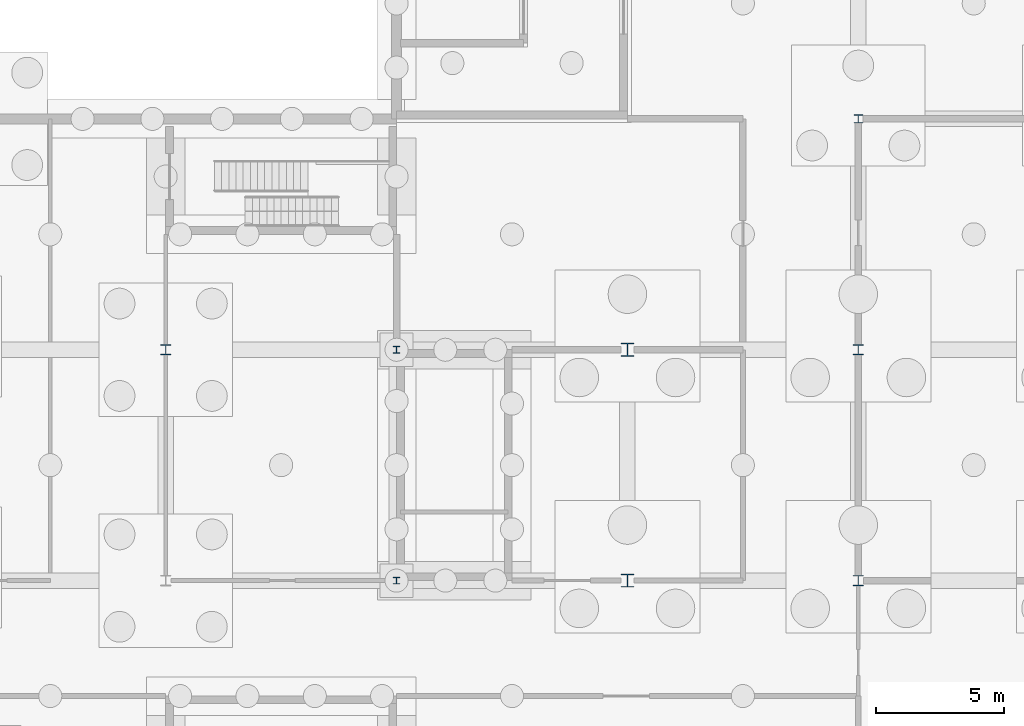
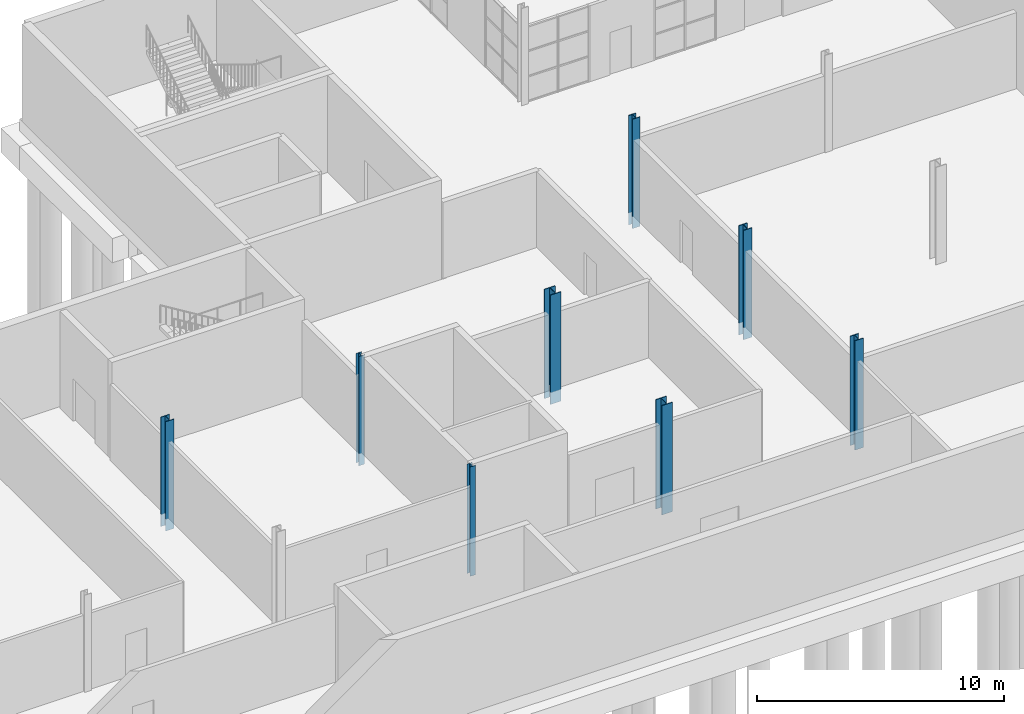
# One storey, part 5 of 17: 8 columns.
"""IFC4 building model written with IfcOpenShell, lengths in metres."""

import ifcopenshell
import ifcopenshell.guid

model = None  # the IFC model being written
_history = None  # IfcOwnerHistory: only IFC2X3 demands one
_inside = {}  # id of a spatial element -> (the spatial element, [elements in it])
_under = {}  # id of a project, library or spatial element -> (it, [spatial elements below it])
_declared = {}  # id of a project -> (the project, [libraries it declares])
_typed = {}  # id of a type object -> (the type object, [elements of that type])
_made_of = {}  # id of a material, layer set ... -> (it, [elements and type objects made of it])


def new_model(schema):
    """Start an empty IFC model of exactly this schema.

    Asked for "IFC4X3", IfcOpenShell would pick the latest addendum, in which some entities
    have other attributes; the version numbers below select the first issue.
    IFC2X3 requires an IfcOwnerHistory on every rooted entity: one is made here for all.
    """
    global model, _history
    if schema == "IFC4X3":
        model = ifcopenshell.file(schema_version=(4, 3, 0, 0))
    else:
        model = ifcopenshell.file(schema=schema)
    _inside.clear()
    _under.clear()
    _declared.clear()
    _typed.clear()
    _made_of.clear()
    _history = None
    if model.schema == "IFC2X3":
        org = make("IfcOrganization", Name="unknown")
        user = make(
            "IfcPersonAndOrganization",
            ThePerson=make("IfcPerson", FamilyName="unknown"),
            TheOrganization=org,
        )
        app = make(
            "IfcApplication",
            ApplicationDeveloper=org,
            Version="unknown",
            ApplicationFullName="unknown",
            ApplicationIdentifier="unknown",
        )
        _history = make(
            "IfcOwnerHistory",
            OwningUser=user,
            OwningApplication=app,
            ChangeAction="ADDED",
            CreationDate=0,
        )
    return model


def make(cls, **values):
    """One entity of the class cls with the attributes given. An attribute that is None is left unset."""
    return model.create_entity(
        cls, **{name: value for name, value in values.items() if value is not None}
    )


def rooted(cls, **values):
    """An entity with a GlobalId (a new one), such as an element, a storey or a relation."""
    return make(cls, GlobalId=ifcopenshell.guid.new(), OwnerHistory=_history, **values)


def si_unit(unit_type, name, prefix=None):
    """IfcSIUnit, for example si_unit("LENGTHUNIT", "METRE", prefix="MILLI")."""
    return make("IfcSIUnit", UnitType=unit_type, Prefix=prefix, Name=name)


def assignment(units):
    """IfcUnitAssignment: the units of a project."""
    return None if units is None else make("IfcUnitAssignment", Units=units)


def point(xyz):
    """IfcCartesianPoint."""
    return None if xyz is None else make("IfcCartesianPoint", Coordinates=xyz)


def direction(xyz):
    """IfcDirection."""
    return None if xyz is None else make("IfcDirection", DirectionRatios=xyz)


def frame(location, z_axis=None, x_axis=None):
    """IfcAxis2Placement3D, a coordinate frame: its origin and axes. An axis left out is left unset."""
    return make(
        "IfcAxis2Placement3D",
        Location=point(location),
        Axis=direction(z_axis),
        RefDirection=direction(x_axis),
    )


def frame_2d(location, x_axis=None):
    """IfcAxis2Placement2D, a coordinate frame in the plane: its origin and x axis."""
    return make(
        "IfcAxis2Placement2D", Location=point(location), RefDirection=direction(x_axis)
    )


def origin():
    """The frame at (0, 0, 0) with its axes left unset."""
    return frame((0.0, 0.0, 0.0))


def origin_2d():
    """The frame at (0, 0) in the plane with its x axis left unset."""
    return frame_2d((0.0, 0.0))


def place(relative_to, where):
    """IfcLocalPlacement: puts the frame where relative to a parent placement (None: the world)."""
    return make(
        "IfcLocalPlacement", PlacementRelTo=relative_to, RelativePlacement=where
    )


def context(
    kind, dimensions, precision=None, world=None, true_north=None, identifier=None
):
    """IfcGeometricRepresentationContext, for example the 3D "Model" context."""
    return make(
        "IfcGeometricRepresentationContext",
        ContextIdentifier=identifier,
        ContextType=kind,
        CoordinateSpaceDimension=dimensions,
        Precision=precision,
        WorldCoordinateSystem=world,
        TrueNorth=true_north,
    )


def subcontext(parent, identifier, kind, view, scale=None):
    """IfcGeometricRepresentationSubContext, for example "Body" below "Model"."""
    return make(
        "IfcGeometricRepresentationSubContext",
        ContextIdentifier=identifier,
        ContextType=kind,
        ParentContext=parent,
        TargetScale=scale,
        TargetView=view,
    )


def project(units=None, contexts=None):
    """IfcProject with its units and contexts."""
    return rooted(
        "IfcProject",
        Name="project",
        RepresentationContexts=contexts,
        UnitsInContext=assignment(units),
    )


def spatial(cls, under=None, at=None, **own):
    """A site, building, storey or space (cls), placed at a placement, below another one or the project."""
    s = rooted(cls, ObjectPlacement=at, **own)
    if under is not None:
        _under.setdefault(under.id(), (under, []))[1].append(s)
    return s


def profile(cls, at=None, kind="AREA", **sizes):
    """A parametric profile (cls). Its sizes go by their IFC names, for example OverallWidth=200.0."""
    return make(cls, ProfileType=kind, Position=at, **sizes)


def i_section(**sizes):
    """IfcIShapeProfileDef."""
    return profile("IfcIShapeProfileDef", **sizes)


def extrude(swept, where, along, depth):
    """IfcExtrudedAreaSolid: the profile swept, set in the frame where, extruded along a direction by depth."""
    return make(
        "IfcExtrudedAreaSolid",
        SweptArea=swept,
        Position=where,
        ExtrudedDirection=direction(along),
        Depth=depth,
    )


def shape(context_of_items, identifier, shape_type, items):
    """IfcShapeRepresentation: the items that make up one representation, for example the "Body"."""
    return make(
        "IfcShapeRepresentation",
        ContextOfItems=context_of_items,
        RepresentationIdentifier=identifier,
        RepresentationType=shape_type,
        Items=items,
    )


def material(Name=None, Category=None):
    """IfcMaterial."""
    return make("IfcMaterial", Name=Name, Category=Category)


def material_profile(
    of_material, cross_section, Name=None, Category=None, Priority=None
):
    """IfcMaterialProfile: a cross section and its material."""
    return make(
        "IfcMaterialProfile",
        Name=Name,
        Material=of_material,
        Profile=cross_section,
        Priority=Priority,
        Category=Category,
    )


def profile_set(profiles, Name=None, composite=None):
    """IfcMaterialProfileSet."""
    return make(
        "IfcMaterialProfileSet",
        Name=Name,
        MaterialProfiles=profiles,
        CompositeProfile=composite,
    )


def made_of(thing, what):
    """Note that an element or type object is made of a material, layer set ...; save() writes the relation."""
    if what is not None:
        _made_of.setdefault(what.id(), (what, []))[1].append(thing)
    return thing


def type_object(cls, material=None, **own):
    """A type object (cls), such as IfcWallType, which elements share."""
    return made_of(rooted(cls, **own), material)


def element(
    cls,
    number,
    at=None,
    inside=None,
    cuts=None,
    type_object=None,
    material=None,
    context=None,
    identifier="Body",
    shape_type=None,
    held_by="IfcProductDefinitionShape",
    body=None,
    shapes=None,
    **own,
):
    """One element of the class cls, such as IfcWall. Its Tag is "e" and its number.

    at: its placement. inside: the storey or other place that contains it. cuts: it is an
    opening in that element (IfcRelVoidsElement). A single representation is given by context,
    identifier, shape_type and body (its items); several are given by shapes. held_by: the class
    of the entity that holds the representations. save() writes the other relations.
    """
    e = rooted(cls, Tag="e%d" % number, ObjectPlacement=at, **own)
    if body is not None:
        shapes = [shape(context, identifier, shape_type, body)]
    if shapes is not None:
        e.Representation = make(held_by, Representations=shapes)
    if inside is not None:
        _inside.setdefault(inside.id(), (inside, []))[1].append(e)
    if cuts is not None:
        rooted(
            "IfcRelVoidsElement", RelatingBuildingElement=cuts, RelatedOpeningElement=e
        )
    if type_object is not None:
        _typed.setdefault(type_object.id(), (type_object, []))[1].append(e)
    return made_of(e, material)


def aggregate(whole, parts):
    """IfcRelAggregates: a whole, such as a stair, and the parts it consists of."""
    return rooted("IfcRelAggregates", RelatingObject=whole, RelatedObjects=parts)


def save(model, path):
    """Write the relations noted so far, then the file.

    IfcRelAggregates (storeys below a building ...), IfcRelContainedInSpatialStructure (elements
    in a storey), IfcRelDefinesByType, IfcRelAssociatesMaterial and IfcRelDeclares: one each for
    every whole, place, type object, material and project.
    """
    for whole, parts in _under.values():
        aggregate(whole, parts)
    for where, things in _inside.values():
        rooted(
            "IfcRelContainedInSpatialStructure",
            RelatedElements=things,
            RelatingStructure=where,
        )
    for kind, things in _typed.values():
        rooted("IfcRelDefinesByType", RelatedObjects=things, RelatingType=kind)
    for what, things in _made_of.values():
        rooted("IfcRelAssociatesMaterial", RelatedObjects=things, RelatingMaterial=what)
    for by, libraries in _declared.values():
        rooted("IfcRelDeclares", RelatingContext=by, RelatedDefinitions=libraries)
    model.write(path)


model = new_model("IFC4")

# Units and contexts
model_context = context("Model", 3, precision=1e-05, world=origin(), true_north=direction((0.0, 1.0)))
body_context = subcontext(model_context, "Body", "Model", "MODEL_VIEW")
ifc_project = project(units=[si_unit("LENGTHUNIT", "METRE"), si_unit("AREAUNIT", "SQUARE_METRE"), si_unit("VOLUMEUNIT", "CUBIC_METRE"), si_unit("PLANEANGLEUNIT", "RADIAN"), si_unit("MASSUNIT", "GRAM", prefix="KILO")], contexts=[model_context])

# Site, building, storey
site_placement = place(None, origin())
site = spatial("IfcSite", under=ifc_project, at=site_placement, CompositionType="ELEMENT")
building_placement = place(site_placement, origin())
building = spatial("IfcBuilding", under=site, at=building_placement, Name="Halyard Row Museum", CompositionType="ELEMENT")
storey_placement = place(building_placement, frame((0.0, 0.0, -9.60009765625)))
storey = spatial("IfcBuildingStorey", under=building, at=storey_placement, Name="B2", CompositionType="ELEMENT", Elevation=-9.60009765625)

# Columns
ifc_material_1 = material(Name="Steel Grade 300", Category="steel")
ifc_material_profile_1 = material_profile(ifc_material_1, i_section(OverallWidth=0.25390625, OverallDepth=0.25390625, WebThickness=0.008544921875, FlangeThickness=0.01416015625, FilletRadius=0.013916015625, at=origin_2d()), Name="250UC72.9")
ifc_profile_set_1 = profile_set([ifc_material_profile_1], Name="Steel Grade 300")
column_type_1 = type_object("IfcColumnType", Name="Column 250UC72.9 interior (on cap)", PredefinedType="COLUMN", material=ifc_profile_set_1)
for number, where, z_axis, x_axis, name in (
    (1, (72.0, 27.0, -0.599853515625), (0.0, 0.0, 1.0), (1.0, 0.0, 0.0), "Column 9D B2"),
    (2, (72.0, 36.0, -0.599853515625), (0.0, 0.0, 1.0), (1.0, 0.0, 0.0), "Column 9E B2"),
):
    element("IfcColumn", number, at=place(storey_placement, frame(where, z_axis=z_axis, x_axis=x_axis)), inside=storey, type_object=column_type_1, Name=name, PredefinedType="COLUMN", context=body_context, shape_type="SweptSolid", body=[
        extrude(i_section(OverallWidth=0.25390625, OverallDepth=0.25390625, WebThickness=0.008544921875, FlangeThickness=0.01416015625, FilletRadius=0.013916015625, at=origin_2d()), origin(), (0.0, 0.0, 1.0), 5.39990234375),
    ])
ifc_material_2 = material(Name="Steel Grade 300", Category="steel")
ifc_material_profile_2 = material_profile(ifc_material_2, i_section(OverallWidth=0.35009765625, OverallDepth=0.339111328125, WebThickness=0.02490234375, FlangeThickness=0.031982421875, at=origin_2d()), Name="350WC230")
ifc_profile_set_2 = profile_set([ifc_material_profile_2], Name="Steel Grade 300")
column_type_2 = type_object("IfcColumnType", Name="Column 350WC230 interior (on cap)", PredefinedType="COLUMN", material=ifc_profile_set_2)
column_placement = place(storey_placement, frame((90.0, 45.0, -0.599853515625), z_axis=(0.0, 0.0, 1.0), x_axis=(1.0, 0.0, 0.0)))
element("IfcColumn", 3, at=column_placement, inside=storey, type_object=column_type_2, Name="Column 11F B2", PredefinedType="COLUMN", context=body_context, shape_type="SweptSolid", body=[
    extrude(i_section(OverallWidth=0.35009765625, OverallDepth=0.339111328125, WebThickness=0.02490234375, FlangeThickness=0.031982421875, at=origin_2d()), origin(), (0.0, 0.0, 1.0), 5.39990234375),
])
ifc_material_3 = material(Name="Steel Grade 300", Category="steel")
ifc_material_profile_3 = material_profile(ifc_material_3, i_section(OverallWidth=0.39990234375, OverallDepth=0.4140625, WebThickness=0.02490234375, FlangeThickness=0.031982421875, at=origin_2d()), Name="400WC270")
ifc_profile_set_3 = profile_set([ifc_material_profile_3], Name="Steel Grade 300")
column_type_3 = type_object("IfcColumnType", Name="Column 400WC270 interior (on cap)", PredefinedType="COLUMN", material=ifc_profile_set_3)
for number, where, z_axis, x_axis, name in (
    (4, (90.0, 27.0, -0.599853515625), (0.0, 0.0, 1.0), (1.0, 0.0, 0.0), "Column 11D B2"),
    (5, (63.0, 36.0, -0.599853515625), (0.0, 0.0, 1.0), (1.0, 0.0, 0.0), "Column 8E B2"),
    (6, (90.0, 36.0, -0.599853515625), (0.0, 0.0, 1.0), (1.0, 0.0, 0.0), "Column 11E B2"),
):
    element("IfcColumn", number, at=place(storey_placement, frame(where, z_axis=z_axis, x_axis=x_axis)), inside=storey, type_object=column_type_3, Name=name, PredefinedType="COLUMN", context=body_context, shape_type="SweptSolid", body=[
        extrude(i_section(OverallWidth=0.39990234375, OverallDepth=0.4140625, WebThickness=0.02490234375, FlangeThickness=0.031982421875, at=origin_2d()), origin(), (0.0, 0.0, 1.0), 5.39990234375),
    ])
ifc_material_4 = material(Name="Steel Grade 300", Category="steel")
ifc_material_profile_4 = material_profile(ifc_material_4, i_section(OverallWidth=0.5, OverallDepth=0.513916015625, WebThickness=0.02490234375, FlangeThickness=0.031982421875, at=origin_2d()), Name="500WC340")
ifc_profile_set_4 = profile_set([ifc_material_profile_4], Name="Steel Grade 300")
column_type_4 = type_object("IfcColumnType", Name="Column 500WC340 interior (on cap)", PredefinedType="COLUMN", material=ifc_profile_set_4)
for number, where, z_axis, x_axis, name in (
    (7, (81.0, 27.0, -0.599853515625), (0.0, 0.0, 1.0), (1.0, 0.0, 0.0), "Column 10D B2"),
    (8, (81.0, 36.0, -0.599853515625), (0.0, 0.0, 1.0), (1.0, 0.0, 0.0), "Column 10E B2"),
):
    element("IfcColumn", number, at=place(storey_placement, frame(where, z_axis=z_axis, x_axis=x_axis)), inside=storey, type_object=column_type_4, Name=name, PredefinedType="COLUMN", context=body_context, shape_type="SweptSolid", body=[
        extrude(i_section(OverallWidth=0.5, OverallDepth=0.513916015625, WebThickness=0.02490234375, FlangeThickness=0.031982421875, at=origin_2d()), origin(), (0.0, 0.0, 1.0), 5.39990234375),
    ])

save(model, "model.ifc")
